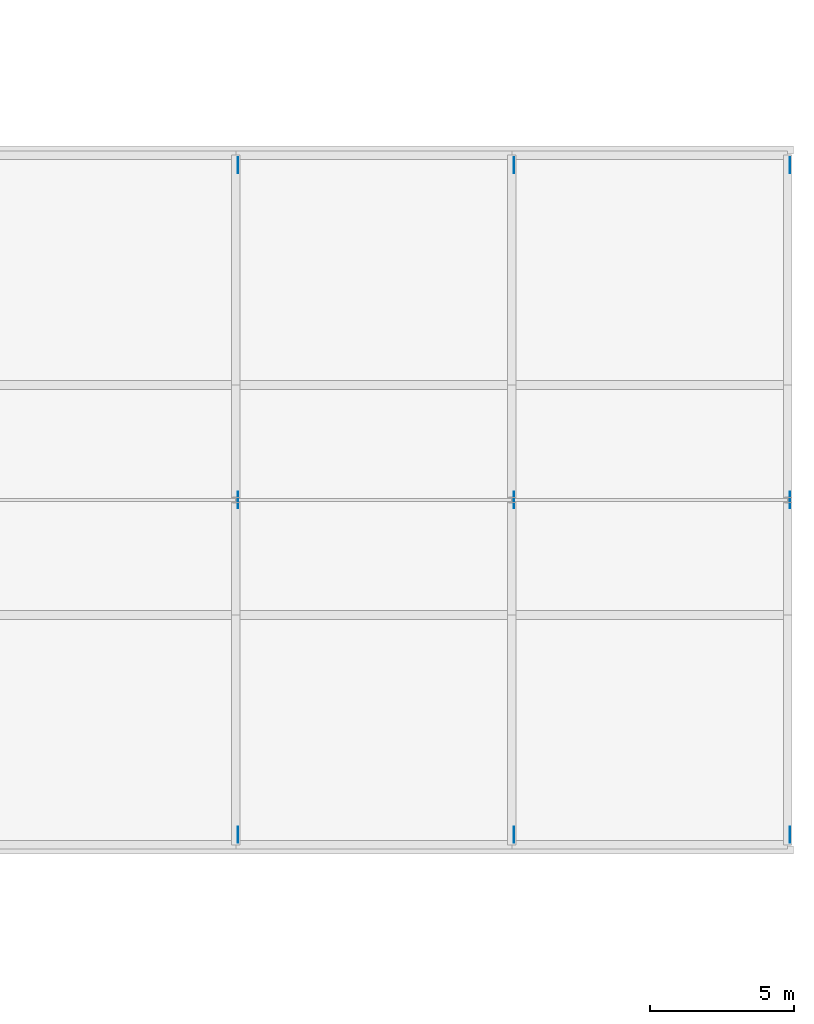
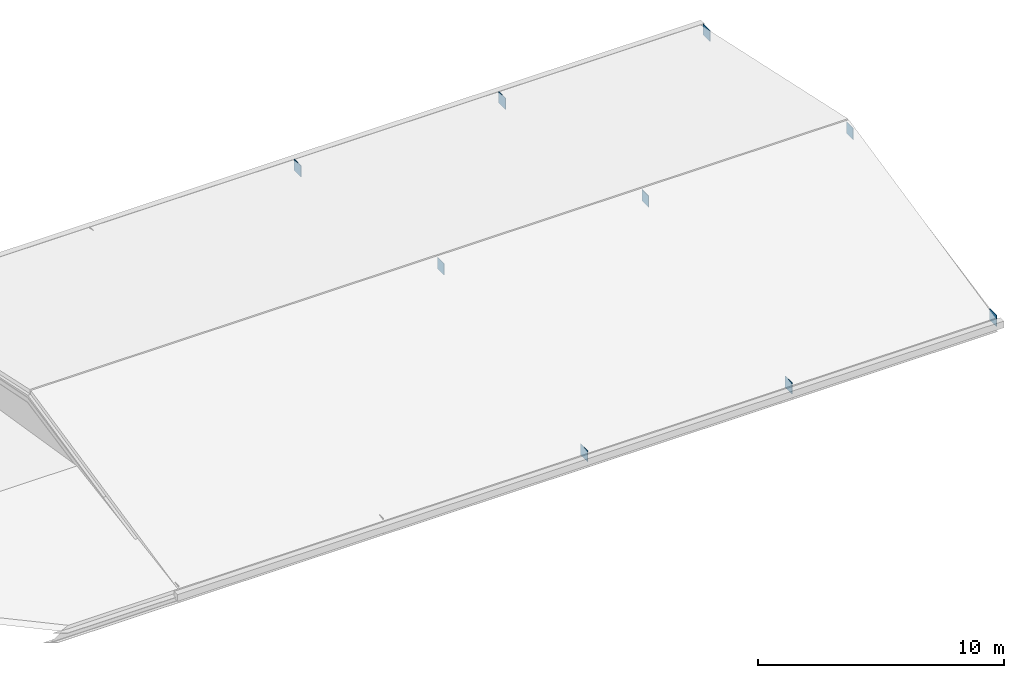
# One storey, part 31 of 34: 9 plates.
"""IFC4 building model written with IfcOpenShell, lengths in metres."""

from ifc_helpers import new_model, si_unit, direction, frame, origin, origin_2d, place, context, subcontext, project, spatial, rectangle, extrude, material, layer, layer_set, type_object, element, save


model = new_model("IFC4")

# Units and contexts
model_context = context("Model", 3, precision=1e-05, world=origin(), true_north=direction((0.0, 1.0)))
body_context = subcontext(model_context, "Body", "Model", "MODEL_VIEW")
ifc_project = project(units=[si_unit("LENGTHUNIT", "METRE"), si_unit("AREAUNIT", "SQUARE_METRE"), si_unit("VOLUMEUNIT", "CUBIC_METRE"), si_unit("PLANEANGLEUNIT", "RADIAN"), si_unit("MASSUNIT", "GRAM", prefix="KILO")], contexts=[model_context])

# Site, building, storey
site_placement = place(None, origin())
site = spatial("IfcSite", under=ifc_project, at=site_placement, CompositionType="ELEMENT")
building_placement = place(site_placement, origin())
building = spatial("IfcBuilding", under=site, at=building_placement, Name="Alderhovde Museum", CompositionType="ELEMENT")
storey_placement = place(building_placement, frame((0.0, 0.0, 25.800048828125)))
storey = spatial("IfcBuildingStorey", under=building, at=storey_placement, Name="L05", CompositionType="ELEMENT", Elevation=25.800048828125)

# Plates
ifc_material = material(Name="Steel S355J2", Category="steel")
ifc_layer = layer(ifc_material, 0.02197265625)
ifc_layer_set = layer_set([ifc_layer], Name="Steel S355J2")
plate_type = type_object("IfcPlateType", Name="PLT-GUSSET-22", PredefinedType="USERDEFINED", material=ifc_layer_set)
for number, where, z_axis, x_axis, name in (
    (1, (134.47998046875, 72.35009765625, -0.47998046875), (0.0, 0.0, 1.0), (1.0, 0.0, 0.0), "Conservation Roof Gusset X=134.4-1"),
    (2, (134.47998046875, 84.0, 1.719970703125), (0.0, 0.0, 1.0), (1.0, 0.0, 0.0), "Conservation Roof Gusset X=134.4-2"),
    (3, (134.47998046875, 95.64990234375, -0.47998046875), (0.0, 0.0, 1.0), (1.0, 0.0, 0.0), "Conservation Roof Gusset X=134.4-3"),
    (4, (144.080078125, 72.35009765625, -0.47998046875), (0.0, 0.0, 1.0), (1.0, 0.0, 0.0), "Conservation Roof Gusset X=144.0-1"),
    (5, (144.080078125, 84.0, 1.719970703125), (0.0, 0.0, 1.0), (1.0, 0.0, 0.0), "Conservation Roof Gusset X=144.0-2"),
    (6, (144.080078125, 95.64990234375, -0.47998046875), (0.0, 0.0, 1.0), (1.0, 0.0, 0.0), "Conservation Roof Gusset X=144.0-3"),
    (7, (153.679931640625, 72.35009765625, -0.47998046875), (0.0, 0.0, 1.0), (1.0, 0.0, 0.0), "Conservation Roof Gusset X=153.6-1"),
    (8, (153.679931640625, 84.0, 1.719970703125), (0.0, 0.0, 1.0), (1.0, 0.0, 0.0), "Conservation Roof Gusset X=153.6-2"),
    (9, (153.679931640625, 95.64990234375, -0.47998046875), (0.0, 0.0, 1.0), (1.0, 0.0, 0.0), "Conservation Roof Gusset X=153.6-3"),
):
    element("IfcPlate", number, at=place(storey_placement, frame(where, z_axis=z_axis, x_axis=x_axis)), inside=storey, type_object=plate_type, Name=name, ObjectType="GUSSET PLATE", PredefinedType="USERDEFINED", context=body_context, shape_type="SweptSolid", body=[
        extrude(rectangle(XDim=0.02197265625, YDim=0.56005859375, at=origin_2d()), origin(), (0.0, 0.0, 1.0), 0.56005859375),
    ])

save(model, "model.ifc")
